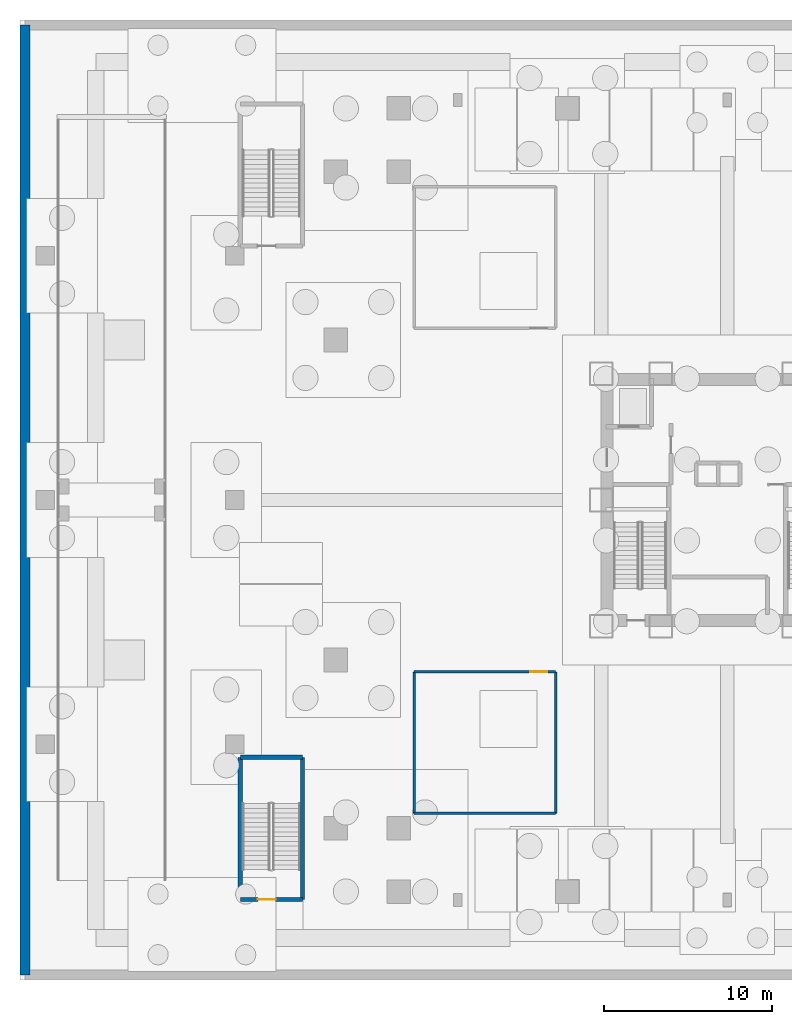
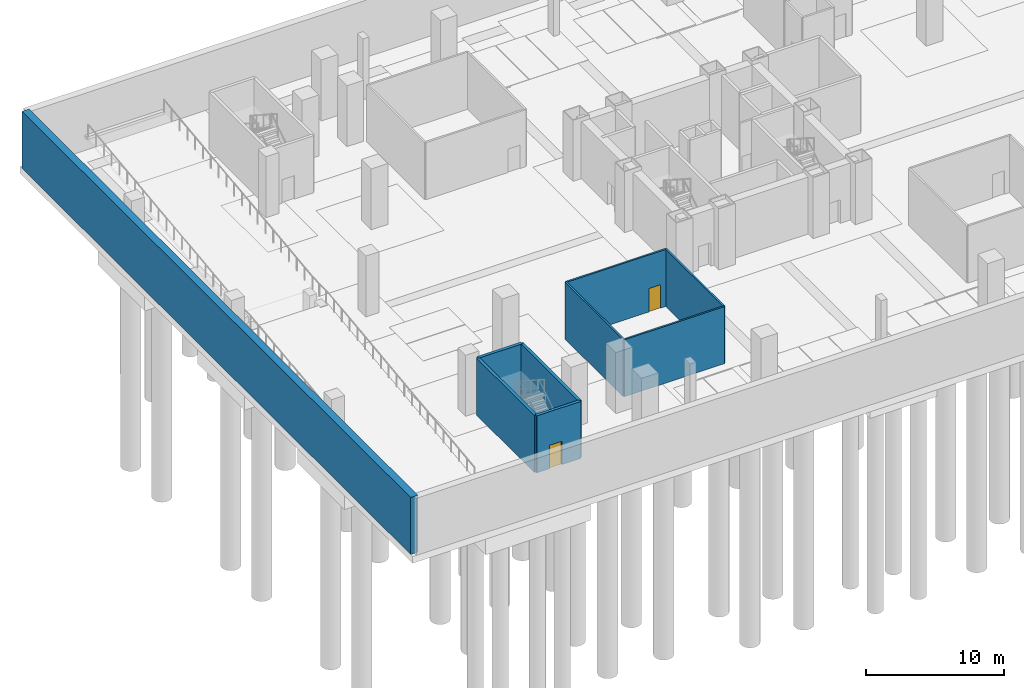
# One storey, part 3 of 16: 9 walls, 2 doors, 2 openings.
"""IFC4 building model written with IfcOpenShell, lengths in metres."""

import ifcopenshell
import ifcopenshell.guid

model = None  # the IFC model being written
_history = None  # IfcOwnerHistory: only IFC2X3 demands one
_inside = {}  # id of a spatial element -> (the spatial element, [elements in it])
_under = {}  # id of a project, library or spatial element -> (it, [spatial elements below it])
_declared = {}  # id of a project -> (the project, [libraries it declares])
_typed = {}  # id of a type object -> (the type object, [elements of that type])
_made_of = {}  # id of a material, layer set ... -> (it, [elements and type objects made of it])


def new_model(schema):
    """Start an empty IFC model of exactly this schema.

    Asked for "IFC4X3", IfcOpenShell would pick the latest addendum, in which some entities
    have other attributes; the version numbers below select the first issue.
    IFC2X3 requires an IfcOwnerHistory on every rooted entity: one is made here for all.
    """
    global model, _history
    if schema == "IFC4X3":
        model = ifcopenshell.file(schema_version=(4, 3, 0, 0))
    else:
        model = ifcopenshell.file(schema=schema)
    _inside.clear()
    _under.clear()
    _declared.clear()
    _typed.clear()
    _made_of.clear()
    _history = None
    if model.schema == "IFC2X3":
        org = make("IfcOrganization", Name="unknown")
        user = make(
            "IfcPersonAndOrganization",
            ThePerson=make("IfcPerson", FamilyName="unknown"),
            TheOrganization=org,
        )
        app = make(
            "IfcApplication",
            ApplicationDeveloper=org,
            Version="unknown",
            ApplicationFullName="unknown",
            ApplicationIdentifier="unknown",
        )
        _history = make(
            "IfcOwnerHistory",
            OwningUser=user,
            OwningApplication=app,
            ChangeAction="ADDED",
            CreationDate=0,
        )
    return model


def make(cls, **values):
    """One entity of the class cls with the attributes given. An attribute that is None is left unset."""
    return model.create_entity(
        cls, **{name: value for name, value in values.items() if value is not None}
    )


def rooted(cls, **values):
    """An entity with a GlobalId (a new one), such as an element, a storey or a relation."""
    return make(cls, GlobalId=ifcopenshell.guid.new(), OwnerHistory=_history, **values)


def si_unit(unit_type, name, prefix=None):
    """IfcSIUnit, for example si_unit("LENGTHUNIT", "METRE", prefix="MILLI")."""
    return make("IfcSIUnit", UnitType=unit_type, Prefix=prefix, Name=name)


def assignment(units):
    """IfcUnitAssignment: the units of a project."""
    return None if units is None else make("IfcUnitAssignment", Units=units)


def point(xyz):
    """IfcCartesianPoint."""
    return None if xyz is None else make("IfcCartesianPoint", Coordinates=xyz)


def direction(xyz):
    """IfcDirection."""
    return None if xyz is None else make("IfcDirection", DirectionRatios=xyz)


def frame(location, z_axis=None, x_axis=None):
    """IfcAxis2Placement3D, a coordinate frame: its origin and axes. An axis left out is left unset."""
    return make(
        "IfcAxis2Placement3D",
        Location=point(location),
        Axis=direction(z_axis),
        RefDirection=direction(x_axis),
    )


def frame_2d(location, x_axis=None):
    """IfcAxis2Placement2D, a coordinate frame in the plane: its origin and x axis."""
    return make(
        "IfcAxis2Placement2D", Location=point(location), RefDirection=direction(x_axis)
    )


def origin():
    """The frame at (0, 0, 0) with its axes left unset."""
    return frame((0.0, 0.0, 0.0))


def place(relative_to, where):
    """IfcLocalPlacement: puts the frame where relative to a parent placement (None: the world)."""
    return make(
        "IfcLocalPlacement", PlacementRelTo=relative_to, RelativePlacement=where
    )


def context(
    kind, dimensions, precision=None, world=None, true_north=None, identifier=None
):
    """IfcGeometricRepresentationContext, for example the 3D "Model" context."""
    return make(
        "IfcGeometricRepresentationContext",
        ContextIdentifier=identifier,
        ContextType=kind,
        CoordinateSpaceDimension=dimensions,
        Precision=precision,
        WorldCoordinateSystem=world,
        TrueNorth=true_north,
    )


def subcontext(parent, identifier, kind, view, scale=None):
    """IfcGeometricRepresentationSubContext, for example "Body" below "Model"."""
    return make(
        "IfcGeometricRepresentationSubContext",
        ContextIdentifier=identifier,
        ContextType=kind,
        ParentContext=parent,
        TargetScale=scale,
        TargetView=view,
    )


def project(units=None, contexts=None):
    """IfcProject with its units and contexts."""
    return rooted(
        "IfcProject",
        Name="project",
        RepresentationContexts=contexts,
        UnitsInContext=assignment(units),
    )


def spatial(cls, under=None, at=None, **own):
    """A site, building, storey or space (cls), placed at a placement, below another one or the project."""
    s = rooted(cls, ObjectPlacement=at, **own)
    if under is not None:
        _under.setdefault(under.id(), (under, []))[1].append(s)
    return s


def profile(cls, at=None, kind="AREA", **sizes):
    """A parametric profile (cls). Its sizes go by their IFC names, for example OverallWidth=200.0."""
    return make(cls, ProfileType=kind, Position=at, **sizes)


def rectangle(**sizes):
    """IfcRectangleProfileDef."""
    return profile("IfcRectangleProfileDef", **sizes)


def extrude(swept, where, along, depth):
    """IfcExtrudedAreaSolid: the profile swept, set in the frame where, extruded along a direction by depth."""
    return make(
        "IfcExtrudedAreaSolid",
        SweptArea=swept,
        Position=where,
        ExtrudedDirection=direction(along),
        Depth=depth,
    )


def shape(context_of_items, identifier, shape_type, items):
    """IfcShapeRepresentation: the items that make up one representation, for example the "Body"."""
    return make(
        "IfcShapeRepresentation",
        ContextOfItems=context_of_items,
        RepresentationIdentifier=identifier,
        RepresentationType=shape_type,
        Items=items,
    )


def material(Name=None, Category=None):
    """IfcMaterial."""
    return make("IfcMaterial", Name=Name, Category=Category)


def layer(
    of_material, thickness, ventilated=None, Name=None, Category=None, Priority=None
):
    """IfcMaterialLayer: one layer of a wall or slab, of a material (None: an air gap)."""
    return make(
        "IfcMaterialLayer",
        Material=of_material,
        LayerThickness=thickness,
        IsVentilated=ventilated,
        Name=Name,
        Category=Category,
        Priority=Priority,
    )


def layer_set(layers, Name=None):
    """IfcMaterialLayerSet."""
    return make("IfcMaterialLayerSet", MaterialLayers=layers, LayerSetName=Name)


def made_of(thing, what):
    """Note that an element or type object is made of a material, layer set ...; save() writes the relation."""
    if what is not None:
        _made_of.setdefault(what.id(), (what, []))[1].append(thing)
    return thing


def type_object(cls, material=None, **own):
    """A type object (cls), such as IfcWallType, which elements share."""
    return made_of(rooted(cls, **own), material)


def element(
    cls,
    number,
    at=None,
    inside=None,
    cuts=None,
    type_object=None,
    material=None,
    context=None,
    identifier="Body",
    shape_type=None,
    held_by="IfcProductDefinitionShape",
    body=None,
    shapes=None,
    **own,
):
    """One element of the class cls, such as IfcWall. Its Tag is "e" and its number.

    at: its placement. inside: the storey or other place that contains it. cuts: it is an
    opening in that element (IfcRelVoidsElement). A single representation is given by context,
    identifier, shape_type and body (its items); several are given by shapes. held_by: the class
    of the entity that holds the representations. save() writes the other relations.
    """
    e = rooted(cls, Tag="e%d" % number, ObjectPlacement=at, **own)
    if body is not None:
        shapes = [shape(context, identifier, shape_type, body)]
    if shapes is not None:
        e.Representation = make(held_by, Representations=shapes)
    if inside is not None:
        _inside.setdefault(inside.id(), (inside, []))[1].append(e)
    if cuts is not None:
        rooted(
            "IfcRelVoidsElement", RelatingBuildingElement=cuts, RelatedOpeningElement=e
        )
    if type_object is not None:
        _typed.setdefault(type_object.id(), (type_object, []))[1].append(e)
    return made_of(e, material)


def fill(opening, filler):
    """IfcRelFillsElement: the door or window that sits in an opening."""
    return rooted(
        "IfcRelFillsElement",
        RelatingOpeningElement=opening,
        RelatedBuildingElement=filler,
    )


def aggregate(whole, parts):
    """IfcRelAggregates: a whole, such as a stair, and the parts it consists of."""
    return rooted("IfcRelAggregates", RelatingObject=whole, RelatedObjects=parts)


def save(model, path):
    """Write the relations noted so far, then the file.

    IfcRelAggregates (storeys below a building ...), IfcRelContainedInSpatialStructure (elements
    in a storey), IfcRelDefinesByType, IfcRelAssociatesMaterial and IfcRelDeclares: one each for
    every whole, place, type object, material and project.
    """
    for whole, parts in _under.values():
        aggregate(whole, parts)
    for where, things in _inside.values():
        rooted(
            "IfcRelContainedInSpatialStructure",
            RelatedElements=things,
            RelatingStructure=where,
        )
    for kind, things in _typed.values():
        rooted("IfcRelDefinesByType", RelatedObjects=things, RelatingType=kind)
    for what, things in _made_of.values():
        rooted("IfcRelAssociatesMaterial", RelatedObjects=things, RelatingMaterial=what)
    for by, libraries in _declared.values():
        rooted("IfcRelDeclares", RelatingContext=by, RelatedDefinitions=libraries)
    model.write(path)


model = new_model("IFC4")

# Units and contexts
model_context = context("Model", 3, precision=1e-05, world=origin(), true_north=direction((0.0, 1.0)))
body_context = subcontext(model_context, "Body", "Model", "MODEL_VIEW")
ifc_project = project(units=[si_unit("LENGTHUNIT", "METRE"), si_unit("AREAUNIT", "SQUARE_METRE"), si_unit("VOLUMEUNIT", "CUBIC_METRE"), si_unit("PLANEANGLEUNIT", "RADIAN"), si_unit("MASSUNIT", "GRAM", prefix="KILO")], contexts=[model_context])

# Site, building, storey
site_placement = place(None, origin())
site = spatial("IfcSite", under=ifc_project, at=site_placement, CompositionType="ELEMENT")
building_placement = place(site_placement, origin())
building = spatial("IfcBuilding", under=site, at=building_placement, Name="Trevonay Congress Spire", CompositionType="ELEMENT")
storey_placement = place(building_placement, frame((0.0, 0.0, -10.800048828125)))
storey = spatial("IfcBuildingStorey", under=building, at=storey_placement, Name="B2", CompositionType="ELEMENT", Elevation=-10.800048828125)

# Wall
ifc_material_1 = material(Name="Concrete C40/50", Category="concrete")
ifc_layer_1 = layer(ifc_material_1, 0.14990234375, Name="Concrete C40/50")
ifc_layer_set_1 = layer_set([ifc_layer_1], Name="Concrete C40/50")
wall_type_1 = type_object("IfcWallType", Name="WAL-PART-150", PredefinedType="PARTITIONING", material=ifc_layer_set_1)
wall_1_placement = place(storey_placement, frame((-18.60009765625, -18.60009765625, 0.0), z_axis=(0.0, 0.0, 1.0), x_axis=(1.0, 0.0, 0.0)))
element("IfcWall", 1, at=wall_1_placement, inside=storey, type_object=wall_type_1, Name="B2 interior wall WB-B202-S", PredefinedType="PARTITIONING", context=body_context, shape_type="SweptSolid", body=[
    extrude(rectangle(XDim=8.400146484375, YDim=0.14990234375, at=frame_2d((4.2001953125, 0.0))), origin(), (0.0, 0.0, 1.0), 5.050048828125),
])

# Wall, opening, door
wall_2_placement = place(storey_placement, frame((-18.60009765625, -10.199951171875, 0.0), z_axis=(0.0, 0.0, 1.0), x_axis=(1.0, 0.0, 0.0)))
wall_2 = element("IfcWall", 2, at=wall_2_placement, inside=storey, type_object=wall_type_1, Name="B2 interior wall WB-B202-N", PredefinedType="PARTITIONING", context=body_context, shape_type="SweptSolid", body=[
    extrude(rectangle(XDim=8.400146484375, YDim=0.14990234375, at=frame_2d((4.2001953125, 0.0))), origin(), (0.0, 0.0, 1.0), 5.050048828125),
])
opening_1_placement = place(wall_2_placement, frame((6.89990234375, 0.0, 0.0)))
opening_1 = element("IfcOpeningElement", 3, at=opening_1_placement, cuts=wall_2, Name="Opening D06", PredefinedType="OPENING", context=body_context, shape_type="SweptSolid", body=[
    extrude(rectangle(XDim=1.0, YDim=2.080078125, at=frame_2d((0.5, 1.0400390625))), frame((0.0, 0.0849609375, 0.0), z_axis=(0.0, -1.0, 0.0), x_axis=(1.0, 0.0, 0.0)), (0.0, 0.0, 1.0), 0.169921875),
])
ifc_material_2 = material(Name="Steel ASTM A572 Grade 50", Category="steel")
door_type_1 = type_object("IfcDoorType", Name="DOR-FIRE-100", OperationType="NOTDEFINED", PredefinedType="DOOR", material=ifc_material_2)
door_1_placement = place(opening_1_placement, origin())
door_1 = element("IfcDoor", 4, at=door_1_placement, inside=storey, type_object=door_type_1, Name="B2 Standby Power Hall Door", OperationType="SINGLE_SWING_RIGHT", OverallHeight=2.080078125, OverallWidth=1.0, PredefinedType="DOOR", context=body_context, shape_type="SweptSolid", body=[
    extrude(rectangle(XDim=1.0, YDim=2.080078125, at=frame_2d((0.5, 1.0400390625))), frame((0.0, 0.02490234375, 0.0), z_axis=(0.0, -1.0, 0.0), x_axis=(1.0, 0.0, 0.0)), (0.0, 0.0, 1.0), 0.050048828125),
])
fill(opening_1, door_1)

# Walls
for number, where, z_axis, x_axis, name in (
    (5, (-18.60009765625, -18.60009765625, 0.0), (0.0, 0.0, 1.0), (0.0, 1.0, 0.0), "B2 interior wall WB-B202-W"),
    (6, (-10.199951171875, -18.60009765625, 0.0), (0.0, 0.0, 1.0), (0.0, 1.0, 0.0), "B2 interior wall WB-B202-E"),
):
    element("IfcWall", number, at=place(storey_placement, frame(where, z_axis=z_axis, x_axis=x_axis)), inside=storey, type_object=wall_type_1, Name=name, PredefinedType="PARTITIONING", context=body_context, shape_type="SweptSolid", body=[
        extrude(rectangle(XDim=8.400146484375, YDim=0.14990234375, at=frame_2d((4.2001953125, 0.0))), origin(), (0.0, 0.0, 1.0), 5.050048828125),
    ])
ifc_material_3 = material(Name="Concrete C50/60", Category="concrete")
ifc_layer_2 = layer(ifc_material_3, 0.60009765625, Name="Concrete C50/60")
ifc_layer_set_2 = layer_set([ifc_layer_2], Name="Concrete C50/60")
wall_type_2 = type_object("IfcWallType", Name="WAL-RETAIN-600", PredefinedType="USERDEFINED", material=ifc_layer_set_2)
wall_3_placement = place(storey_placement, frame((-41.699951171875, 28.199951171875, 0.0), z_axis=(0.0, 0.0, 1.0), x_axis=(0.0, -1.0, 0.0)))
element("IfcWall", 7, at=wall_3_placement, inside=storey, type_object=wall_type_2, Name="B2 W perimeter concrete diaphragm retaining wall", ObjectType="RETAININGWALL", PredefinedType="USERDEFINED", context=body_context, shape_type="SweptSolid", body=[
    extrude(rectangle(XDim=56.39990234375, YDim=0.60009765625, at=frame_2d((28.199951171875, 0.0))), origin(), (0.0, 0.0, 1.0), 5.050048828125),
])

# Wall, opening, door
ifc_layer_3 = layer(ifc_material_1, 0.25, Name="Concrete C40/50")
ifc_layer_set_3 = layer_set([ifc_layer_3], Name="Concrete C40/50")
wall_type_3 = type_object("IfcWallType", Name="WAL-SHAFT-LB-250", PredefinedType="SHEAR", material=ifc_layer_set_3)
wall_4_placement = place(storey_placement, frame((-28.919921875, -23.719970703125, 0.0), z_axis=(0.0, 0.0, 1.0), x_axis=(1.0, 0.0, 0.0)))
wall_4 = element("IfcWall", 8, at=wall_4_placement, inside=storey, type_object=wall_type_3, Name="B2 interior shaft wall WSH-B2-ST-3-S", PredefinedType="SHEAR", context=body_context, shape_type="SweptSolid", body=[
    extrude(rectangle(XDim=3.68994140625, YDim=0.25, at=frame_2d((1.844970703125, 0.0))), origin(), (0.0, 0.0, 1.0), 5.050048828125),
])
opening_2_placement = place(wall_4_placement, frame((1.050048828125, 0.0, 0.0)))
opening_2 = element("IfcOpeningElement", 9, at=opening_2_placement, cuts=wall_4, Name="Opening D05", PredefinedType="OPENING", context=body_context, shape_type="SweptSolid", body=[
    extrude(rectangle(XDim=1.050048828125, YDim=2.080078125, at=frame_2d((0.52490234375, 1.0400390625))), frame((0.0, 0.135009765625, 0.0), z_axis=(0.0, -1.0, 0.0), x_axis=(1.0, 0.0, 0.0)), (0.0, 0.0, 1.0), 0.27001953125),
])
door_type_2 = type_object("IfcDoorType", Name="DOR-STAIR-110", OperationType="NOTDEFINED", PredefinedType="DOOR", material=ifc_material_2)
door_2_placement = place(opening_2_placement, origin())
door_2 = element("IfcDoor", 10, at=door_2_placement, inside=storey, type_object=door_type_2, Name="B2 Escape Stair ST-3 Door", OperationType="SINGLE_SWING_LEFT", OverallHeight=2.080078125, OverallWidth=1.050048828125, PredefinedType="DOOR", context=body_context, shape_type="SweptSolid", body=[
    extrude(rectangle(XDim=1.050048828125, YDim=2.080078125, at=frame_2d((0.52490234375, 1.0400390625))), frame((0.0, 0.02490234375, 0.0), z_axis=(0.0, -1.0, 0.0), x_axis=(1.0, 0.0, 0.0)), (0.0, 0.0, 1.0), 0.050048828125),
])
fill(opening_2, door_2)

# Walls
wall_5_placement = place(storey_placement, frame((-28.919921875, -15.280029296875, 0.0), z_axis=(0.0, 0.0, 1.0), x_axis=(1.0, 0.0, 0.0)))
element("IfcWall", 11, at=wall_5_placement, inside=storey, type_object=wall_type_3, Name="B2 interior shaft wall WSH-B2-ST-3-N", PredefinedType="SHEAR", context=body_context, shape_type="SweptSolid", body=[
    extrude(rectangle(XDim=3.68994140625, YDim=0.25, at=frame_2d((1.844970703125, 0.0))), origin(), (0.0, 0.0, 1.0), 5.050048828125),
])
for number, where, z_axis, x_axis, name in (
    (12, (-28.919921875, -23.719970703125, 0.0), (0.0, 0.0, 1.0), (0.0, 1.0, 0.0), "B2 interior shaft wall WSH-B2-ST-3-W"),
    (13, (-25.22998046875, -23.719970703125, 0.0), (0.0, 0.0, 1.0), (0.0, 1.0, 0.0), "B2 interior shaft wall WSH-B2-ST-3-E"),
):
    element("IfcWall", number, at=place(storey_placement, frame(where, z_axis=z_axis, x_axis=x_axis)), inside=storey, type_object=wall_type_3, Name=name, PredefinedType="SHEAR", context=body_context, shape_type="SweptSolid", body=[
        extrude(rectangle(XDim=8.43994140625, YDim=0.25, at=frame_2d((4.219970703125, 0.0))), origin(), (0.0, 0.0, 1.0), 5.050048828125),
    ])

save(model, "model.ifc")
